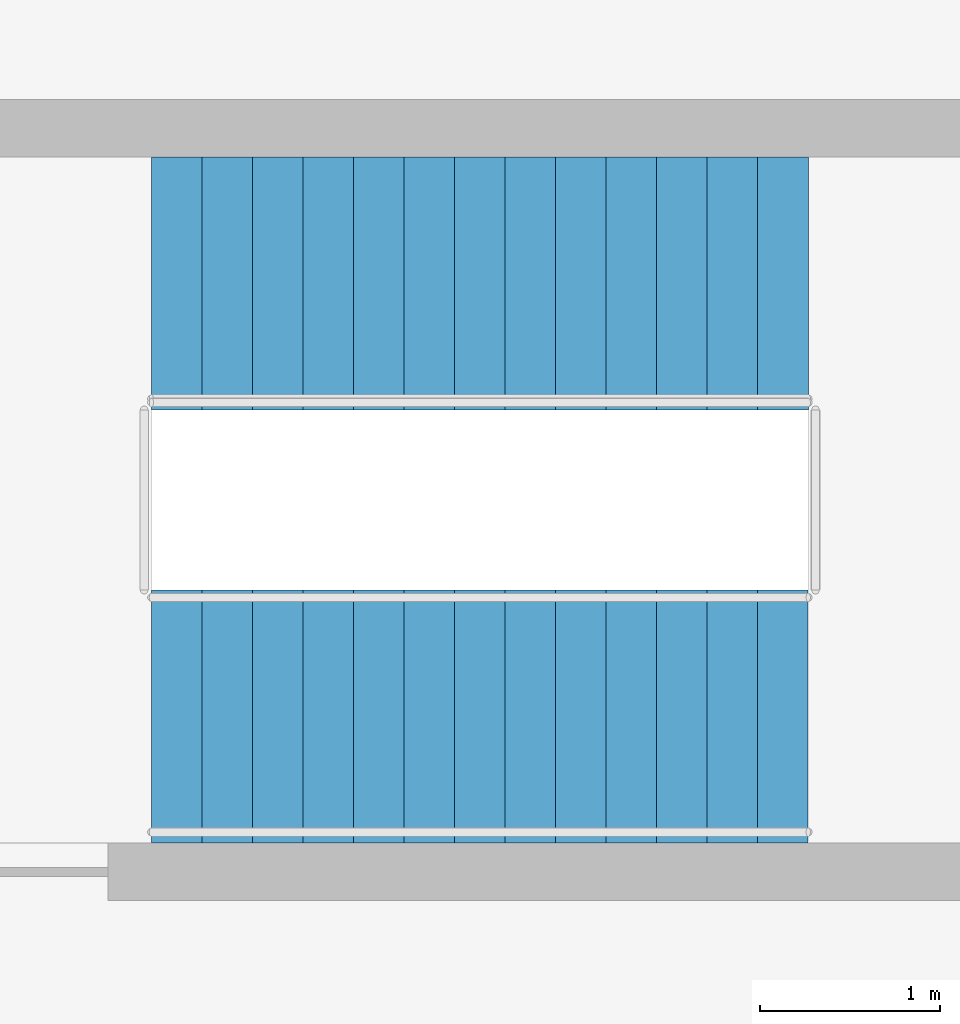
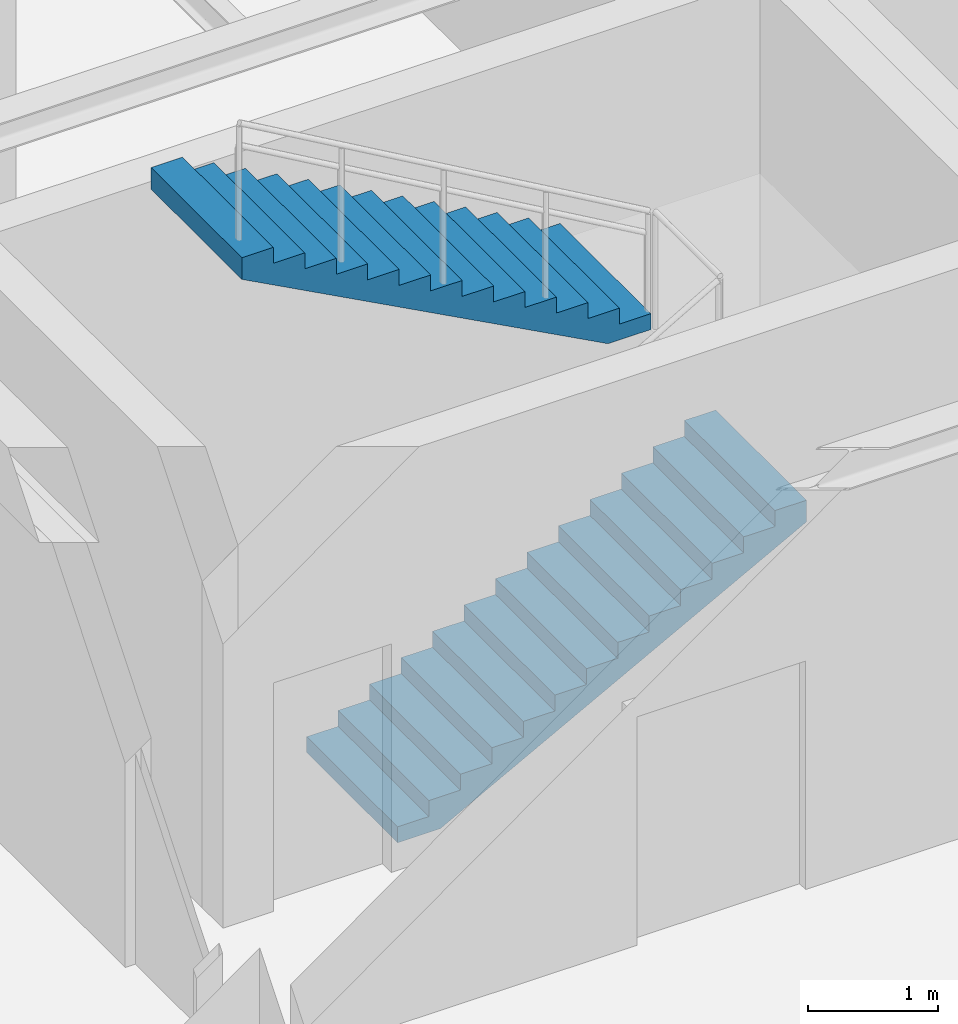
# One storey, part 12 of 14: 2 stair flights, 1 element without a shape of its own.
"""IFC4 building model written with IfcOpenShell, lengths in metres."""

import ifcopenshell
import ifcopenshell.guid

model = None  # the IFC model being written
_history = None  # IfcOwnerHistory: only IFC2X3 demands one
_inside = {}  # id of a spatial element -> (the spatial element, [elements in it])
_under = {}  # id of a project, library or spatial element -> (it, [spatial elements below it])
_declared = {}  # id of a project -> (the project, [libraries it declares])
_typed = {}  # id of a type object -> (the type object, [elements of that type])
_made_of = {}  # id of a material, layer set ... -> (it, [elements and type objects made of it])


def new_model(schema):
    """Start an empty IFC model of exactly this schema.

    Asked for "IFC4X3", IfcOpenShell would pick the latest addendum, in which some entities
    have other attributes; the version numbers below select the first issue.
    IFC2X3 requires an IfcOwnerHistory on every rooted entity: one is made here for all.
    """
    global model, _history
    if schema == "IFC4X3":
        model = ifcopenshell.file(schema_version=(4, 3, 0, 0))
    else:
        model = ifcopenshell.file(schema=schema)
    _inside.clear()
    _under.clear()
    _declared.clear()
    _typed.clear()
    _made_of.clear()
    _history = None
    if model.schema == "IFC2X3":
        org = make("IfcOrganization", Name="unknown")
        user = make(
            "IfcPersonAndOrganization",
            ThePerson=make("IfcPerson", FamilyName="unknown"),
            TheOrganization=org,
        )
        app = make(
            "IfcApplication",
            ApplicationDeveloper=org,
            Version="unknown",
            ApplicationFullName="unknown",
            ApplicationIdentifier="unknown",
        )
        _history = make(
            "IfcOwnerHistory",
            OwningUser=user,
            OwningApplication=app,
            ChangeAction="ADDED",
            CreationDate=0,
        )
    return model


def make(cls, **values):
    """One entity of the class cls with the attributes given. An attribute that is None is left unset."""
    return model.create_entity(
        cls, **{name: value for name, value in values.items() if value is not None}
    )


def rooted(cls, **values):
    """An entity with a GlobalId (a new one), such as an element, a storey or a relation."""
    return make(cls, GlobalId=ifcopenshell.guid.new(), OwnerHistory=_history, **values)


def si_unit(unit_type, name, prefix=None):
    """IfcSIUnit, for example si_unit("LENGTHUNIT", "METRE", prefix="MILLI")."""
    return make("IfcSIUnit", UnitType=unit_type, Prefix=prefix, Name=name)


def derived_unit(unit_type, elements):
    """IfcDerivedUnit: a product of units, each with its exponent."""
    return make(
        "IfcDerivedUnit",
        Elements=[
            make("IfcDerivedUnitElement", Unit=unit, Exponent=power)
            for unit, power in elements
        ],
        UnitType=unit_type,
    )


def assignment(units):
    """IfcUnitAssignment: the units of a project."""
    return None if units is None else make("IfcUnitAssignment", Units=units)


def point(xyz):
    """IfcCartesianPoint."""
    return None if xyz is None else make("IfcCartesianPoint", Coordinates=xyz)


def direction(xyz):
    """IfcDirection."""
    return None if xyz is None else make("IfcDirection", DirectionRatios=xyz)


def frame(location, z_axis=None, x_axis=None):
    """IfcAxis2Placement3D, a coordinate frame: its origin and axes. An axis left out is left unset."""
    return make(
        "IfcAxis2Placement3D",
        Location=point(location),
        Axis=direction(z_axis),
        RefDirection=direction(x_axis),
    )


def origin():
    """The frame at (0, 0, 0) with its axes left unset."""
    return frame((0.0, 0.0, 0.0))


def place(relative_to, where):
    """IfcLocalPlacement: puts the frame where relative to a parent placement (None: the world)."""
    return make(
        "IfcLocalPlacement", PlacementRelTo=relative_to, RelativePlacement=where
    )


def context(
    kind, dimensions, precision=None, world=None, true_north=None, identifier=None
):
    """IfcGeometricRepresentationContext, for example the 3D "Model" context."""
    return make(
        "IfcGeometricRepresentationContext",
        ContextIdentifier=identifier,
        ContextType=kind,
        CoordinateSpaceDimension=dimensions,
        Precision=precision,
        WorldCoordinateSystem=world,
        TrueNorth=true_north,
    )


def subcontext(parent, identifier, kind, view, scale=None):
    """IfcGeometricRepresentationSubContext, for example "Body" below "Model"."""
    return make(
        "IfcGeometricRepresentationSubContext",
        ContextIdentifier=identifier,
        ContextType=kind,
        ParentContext=parent,
        TargetScale=scale,
        TargetView=view,
    )


def project(units=None, contexts=None):
    """IfcProject with its units and contexts."""
    return rooted(
        "IfcProject",
        Name="project",
        RepresentationContexts=contexts,
        UnitsInContext=assignment(units),
    )


def spatial(cls, under=None, at=None, **own):
    """A site, building, storey or space (cls), placed at a placement, below another one or the project."""
    s = rooted(cls, ObjectPlacement=at, **own)
    if under is not None:
        _under.setdefault(under.id(), (under, []))[1].append(s)
    return s


def polyline(points):
    """IfcPolyline through the points."""
    return make("IfcPolyline", Points=[point(p) for p in points])


def outline(outer, holes=None, kind="AREA"):
    """IfcArbitraryClosedProfileDef: a profile drawn as a closed curve; with holes, ...WithVoids."""
    if holes is None:
        return make("IfcArbitraryClosedProfileDef", ProfileType=kind, OuterCurve=outer)
    return make(
        "IfcArbitraryProfileDefWithVoids",
        ProfileType=kind,
        OuterCurve=outer,
        InnerCurves=holes,
    )


def extrude(swept, where, along, depth):
    """IfcExtrudedAreaSolid: the profile swept, set in the frame where, extruded along a direction by depth."""
    return make(
        "IfcExtrudedAreaSolid",
        SweptArea=swept,
        Position=where,
        ExtrudedDirection=direction(along),
        Depth=depth,
    )


def shape(context_of_items, identifier, shape_type, items):
    """IfcShapeRepresentation: the items that make up one representation, for example the "Body"."""
    return make(
        "IfcShapeRepresentation",
        ContextOfItems=context_of_items,
        RepresentationIdentifier=identifier,
        RepresentationType=shape_type,
        Items=items,
    )


def material(Name=None, Category=None):
    """IfcMaterial."""
    return make("IfcMaterial", Name=Name, Category=Category)


def made_of(thing, what):
    """Note that an element or type object is made of a material, layer set ...; save() writes the relation."""
    if what is not None:
        _made_of.setdefault(what.id(), (what, []))[1].append(thing)
    return thing


def type_object(cls, material=None, **own):
    """A type object (cls), such as IfcWallType, which elements share."""
    return made_of(rooted(cls, **own), material)


def element(
    cls,
    number,
    at=None,
    inside=None,
    cuts=None,
    type_object=None,
    material=None,
    context=None,
    identifier="Body",
    shape_type=None,
    held_by="IfcProductDefinitionShape",
    body=None,
    shapes=None,
    **own,
):
    """One element of the class cls, such as IfcWall. Its Tag is "e" and its number.

    at: its placement. inside: the storey or other place that contains it. cuts: it is an
    opening in that element (IfcRelVoidsElement). A single representation is given by context,
    identifier, shape_type and body (its items); several are given by shapes. held_by: the class
    of the entity that holds the representations. save() writes the other relations.
    """
    e = rooted(cls, Tag="e%d" % number, ObjectPlacement=at, **own)
    if body is not None:
        shapes = [shape(context, identifier, shape_type, body)]
    if shapes is not None:
        e.Representation = make(held_by, Representations=shapes)
    if inside is not None:
        _inside.setdefault(inside.id(), (inside, []))[1].append(e)
    if cuts is not None:
        rooted(
            "IfcRelVoidsElement", RelatingBuildingElement=cuts, RelatedOpeningElement=e
        )
    if type_object is not None:
        _typed.setdefault(type_object.id(), (type_object, []))[1].append(e)
    return made_of(e, material)


def aggregate(whole, parts):
    """IfcRelAggregates: a whole, such as a stair, and the parts it consists of."""
    return rooted("IfcRelAggregates", RelatingObject=whole, RelatedObjects=parts)


def save(model, path):
    """Write the relations noted so far, then the file.

    IfcRelAggregates (storeys below a building ...), IfcRelContainedInSpatialStructure (elements
    in a storey), IfcRelDefinesByType, IfcRelAssociatesMaterial and IfcRelDeclares: one each for
    every whole, place, type object, material and project.
    """
    for whole, parts in _under.values():
        aggregate(whole, parts)
    for where, things in _inside.values():
        rooted(
            "IfcRelContainedInSpatialStructure",
            RelatedElements=things,
            RelatingStructure=where,
        )
    for kind, things in _typed.values():
        rooted("IfcRelDefinesByType", RelatedObjects=things, RelatingType=kind)
    for what, things in _made_of.values():
        rooted("IfcRelAssociatesMaterial", RelatedObjects=things, RelatingMaterial=what)
    for by, libraries in _declared.values():
        rooted("IfcRelDeclares", RelatingContext=by, RelatedDefinitions=libraries)
    model.write(path)


model = new_model("IFC4")

# Units and contexts
model_context = context("Model", 3, precision=1e-05, world=origin(), true_north=direction((0.0, 1.0)))
body_context = subcontext(model_context, "Body", "Model", "MODEL_VIEW")
ifc_project = project(units=[si_unit("LENGTHUNIT", "METRE"), si_unit("AREAUNIT", "SQUARE_METRE"), si_unit("VOLUMEUNIT", "CUBIC_METRE"), si_unit("PLANEANGLEUNIT", "RADIAN"), si_unit("MASSUNIT", "GRAM", prefix="KILO"), derived_unit("THERMALTRANSMITTANCEUNIT", [(si_unit("MASSUNIT", "GRAM", prefix="KILO"), 1), (si_unit("TIMEUNIT", "SECOND"), -3), (si_unit("THERMODYNAMICTEMPERATUREUNIT", "KELVIN"), -1)])], contexts=[model_context])

# Site, building, storey
site_placement = place(None, origin())
site = spatial("IfcSite", under=ifc_project, at=site_placement, CompositionType="ELEMENT")
building_placement = place(site_placement, origin())
building = spatial("IfcBuilding", under=site, at=building_placement, Name="Veldstrom Oceanarium and Marine Research Institute", CompositionType="ELEMENT")
storey_placement = place(building_placement, frame((0.0, 0.0, 35.39990234375)))
storey = spatial("IfcBuildingStorey", under=building, at=storey_placement, Name="L07", CompositionType="ELEMENT", Elevation=35.39990234375)

# Stair, stair flights
ifc_material_1 = material(Name="Concrete C40/50", Category="concrete")
stair_type = type_object("IfcStairType", Name="ARC-STR-ST-420", PredefinedType="TWO_STRAIGHT_RUN_STAIR", material=ifc_material_1)
stair_placement = place(storey_placement, origin())
stair = element("IfcStair", 1, at=stair_placement, inside=storey, type_object=stair_type, Name="Dog-Leg Escape Stair ST2-L07", PredefinedType="TWO_STRAIGHT_RUN_STAIR")
ifc_material_2 = material(Name="Concrete C40/50", Category="concrete")
stair_flight_type = type_object("IfcStairFlightType", Name="ARC-STF-ST-420", PredefinedType="STRAIGHT", material=ifc_material_2)
stair_flight_1_placement = place(storey_placement, frame((94.93994140625, 53.10009765625, 0.0), z_axis=(0.0, 0.0, 1.0), x_axis=(1.0, 0.0, 0.0)))
stair_flight_1 = element("IfcStairFlight", 2, at=stair_flight_1_placement, type_object=stair_flight_type, Name="Stair Flight ST2-L07-1", NumberOfRisers=14, NumberOfTreads=13, PredefinedType="STRAIGHT", RiserHeight=0.15, TreadLength=0.28, context=body_context, shape_type="SweptSolid", body=[
    extrude(outline(polyline([(0.0, 0.0), (0.0, 0.14990234375), (0.280029296875, 0.14990234375), (0.280029296875, 0.300048828125), (0.56005859375, 0.300048828125), (0.56005859375, 0.449951171875), (0.840087890625, 0.449951171875), (0.840087890625, 0.60009765625), (1.1201171875, 0.60009765625), (1.1201171875, 0.75), (1.39990234375, 0.75), (1.39990234375, 0.89990234375), (1.679931640625, 0.89990234375), (1.679931640625, 1.050048828125), (1.9599609375, 1.050048828125), (1.9599609375, 1.199951171875), (2.239990234375, 1.199951171875), (2.239990234375, 1.35009765625), (2.52001953125, 1.35009765625), (2.52001953125, 1.5), (2.800048828125, 1.5), (2.800048828125, 1.64990234375), (3.080078125, 1.64990234375), (3.080078125, 1.800048828125), (3.360107421875, 1.800048828125), (3.360107421875, 1.949951171875), (3.639892578125, 1.949951171875), (3.639892578125, 2.10009765625), (3.639892578125, 1.745849609375), (0.381103515625, 0.0), (0.0, 0.0)])), frame((0.0, 0.699951171875, 0.0), z_axis=(0.0, -1.0, 0.0), x_axis=(1.0, 0.0, 0.0)), (0.0, 0.0, 1.0), 1.39990234375),
])
stair_flight_2_placement = place(storey_placement, frame((98.580078125, 55.5, 2.10009765625), z_axis=(0.0, 0.0, 1.0), x_axis=(-1.0, 0.0, 0.0)))
stair_flight_2 = element("IfcStairFlight", 3, at=stair_flight_2_placement, type_object=stair_flight_type, Name="Stair Flight ST2-L07-2", NumberOfRisers=14, NumberOfTreads=13, PredefinedType="STRAIGHT", RiserHeight=0.15, TreadLength=0.28, context=body_context, shape_type="SweptSolid", body=[
    extrude(outline(polyline([(0.0, 0.0), (0.0, 0.14990234375), (0.280029296875, 0.14990234375), (0.280029296875, 0.300048828125), (0.56005859375, 0.300048828125), (0.56005859375, 0.449951171875), (0.840087890625, 0.449951171875), (0.840087890625, 0.60009765625), (1.1201171875, 0.60009765625), (1.1201171875, 0.75), (1.39990234375, 0.75), (1.39990234375, 0.89990234375), (1.679931640625, 0.89990234375), (1.679931640625, 1.050048828125), (1.9599609375, 1.050048828125), (1.9599609375, 1.199951171875), (2.239990234375, 1.199951171875), (2.239990234375, 1.35009765625), (2.52001953125, 1.35009765625), (2.52001953125, 1.5), (2.800048828125, 1.5), (2.800048828125, 1.64990234375), (3.080078125, 1.64990234375), (3.080078125, 1.800048828125), (3.360107421875, 1.800048828125), (3.360107421875, 1.949951171875), (3.639892578125, 1.949951171875), (3.639892578125, 2.10009765625), (3.639892578125, 1.745849609375), (0.381103515625, 0.0), (0.0, 0.0)])), frame((0.0, 0.699951171875, 0.0), z_axis=(0.0, -1.0, 0.0), x_axis=(1.0, 0.0, 0.0)), (0.0, 0.0, 1.0), 1.39990234375),
])
aggregate(stair, [stair_flight_1, stair_flight_2])

save(model, "model.ifc")
